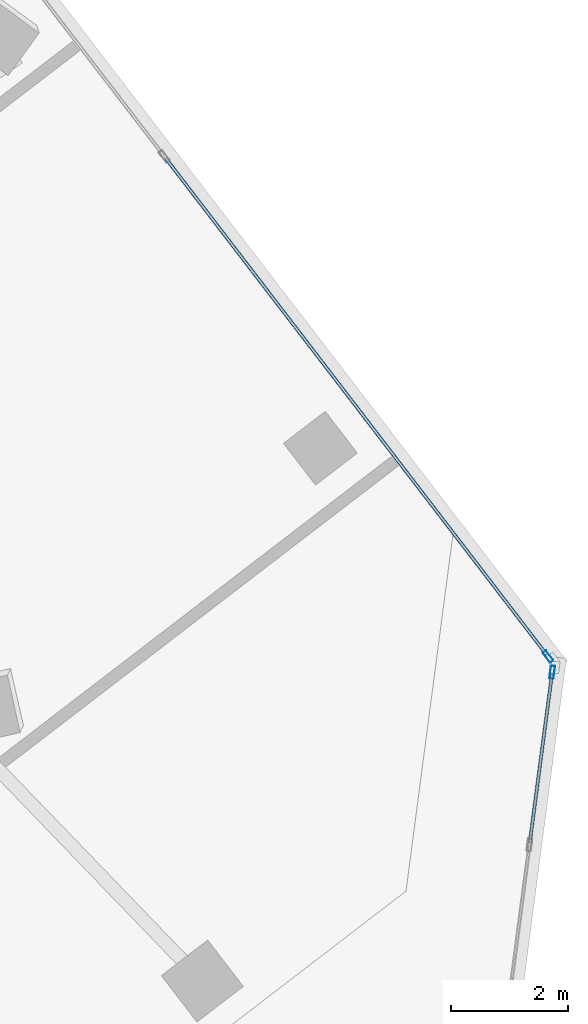
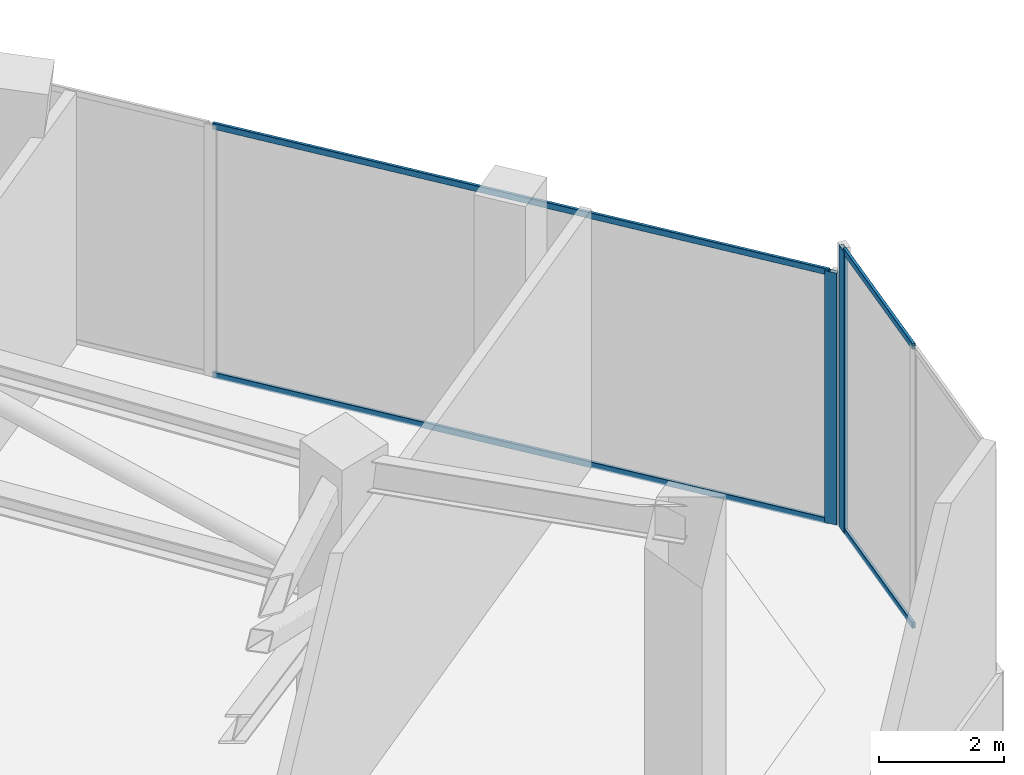
# One storey, part 8 of 19: 6 members, 2 elements without a shape of their own.
"""IFC4 building model written with IfcOpenShell, lengths in metres."""

from ifc_helpers import new_model, si_unit, direction, frame, origin, origin_2d, place, context, subcontext, project, spatial, hollow_rectangle, extrude, source, transform, mapped, material, material_profile, profile_set, type_object, element, aggregate, save


model = new_model("IFC4")

# Units and contexts
model_context = context("Model", 3, precision=1e-05, world=origin(), true_north=direction((0.0, 1.0)))
body_context = subcontext(model_context, "Body", "Model", "MODEL_VIEW")
ifc_project = project(units=[si_unit("LENGTHUNIT", "METRE"), si_unit("AREAUNIT", "SQUARE_METRE"), si_unit("VOLUMEUNIT", "CUBIC_METRE"), si_unit("PLANEANGLEUNIT", "RADIAN"), si_unit("MASSUNIT", "GRAM", prefix="KILO")], contexts=[model_context])

# Site, building, storey
site_placement = place(None, origin())
site = spatial("IfcSite", under=ifc_project, at=site_placement, CompositionType="ELEMENT")
building_placement = place(site_placement, origin())
building = spatial("IfcBuilding", under=site, at=building_placement, Name="Torre Montelarca", CompositionType="ELEMENT")
storey_placement = place(building_placement, frame((0.0, 0.0, 287.800048828125)))
storey = spatial("IfcBuildingStorey", under=building, at=storey_placement, Name="L65", CompositionType="ELEMENT", Elevation=287.800048828125)

# Curtain wall, members
ifc_material_1 = material(Name="Insulated low-E laminated glass", Category="glass")
curtain_wall_type = type_object("IfcCurtainWallType", Name="CW-SYS-Z3", PredefinedType="USERDEFINED", material=ifc_material_1)
curtain_wall_1_placement = place(storey_placement, origin())
curtain_wall_1 = element("IfcCurtainWall", 1, at=curtain_wall_1_placement, inside=storey, type_object=curtain_wall_type, Name="L65 Curtain Wall Run CW-T3-L65-E07-B1", ObjectType="UNITISED GLAZING", PredefinedType="USERDEFINED")
ifc_material_2 = material(Name="Anodised aluminium AA 6063-T6", Category="aluminium")
ifc_material_profile_1 = material_profile(ifc_material_2, hollow_rectangle(XDim=0.054931640625, YDim=0.1201171875, WallThickness=0.00341796875, InnerFilletRadius=0.00341796875, OuterFilletRadius=0.007080078125, at=origin_2d()), Name="ALU55X120X3.5", Category="aluminium")
ifc_profile_set_1 = profile_set([ifc_material_profile_1], Name="Anodised aluminium AA 6063-T6")
member_type_1 = type_object("IfcMemberType", Name="CWT-ALU120", PredefinedType="USERDEFINED", material=ifc_profile_set_1)
shared_shape_1 = source(origin(), body_context, "Body", "SweptSolid", [
    extrude(hollow_rectangle(XDim=0.054931640625, YDim=0.1201171875, WallThickness=0.00341796875, InnerFilletRadius=0.00341796875, OuterFilletRadius=0.007080078125, at=origin_2d()), origin(), (0.0, 0.0, 1.0), 2.90380859375),
])
member_1_placement = place(storey_placement, frame((45.92724609375, 22.9736328125, 0.02734375), z_axis=(0.130571956517, 0.991438835315, 0.0), x_axis=(-0.991438835315, 0.130571956517, 0.0)))
member_1 = element("IfcMember", 2, at=member_1_placement, type_object=member_type_1, Name="CW transom 2.1", ObjectType="TRANSOM", PredefinedType="USERDEFINED", context=body_context, shape_type="MappedRepresentation", body=[
    mapped(shared_shape_1, transform((0.0, 0.0, 0.0), scale=1.0)),
])
member_2_placement = place(storey_placement, frame((45.92724609375, 22.9736328125, 5.492431640625), z_axis=(0.130571956517, 0.991438835315, 0.0), x_axis=(-0.991438835315, 0.130571956517, 0.0)))
member_2 = element("IfcMember", 3, at=member_2_placement, type_object=member_type_1, Name="CW transom 2.2", ObjectType="TRANSOM", PredefinedType="USERDEFINED", context=body_context, shape_type="MappedRepresentation", body=[
    mapped(shared_shape_1, transform((0.0, 0.0, 0.0), scale=1.0)),
])
ifc_material_profile_2 = material_profile(ifc_material_2, hollow_rectangle(XDim=0.074951171875, YDim=0.219970703125, WallThickness=0.0048828125, InnerFilletRadius=0.0048828125, OuterFilletRadius=0.010009765625, at=origin_2d()), Name="ALU75X220X5", Category="aluminium")
ifc_profile_set_2 = profile_set([ifc_material_profile_2], Name="Anodised aluminium AA 6063-T6")
member_type_2 = type_object("IfcMemberType", Name="CWM-ALU220", PredefinedType="MULLION", material=ifc_profile_set_2)
shared_shape_2 = source(origin(), body_context, "Body", "SweptSolid", [
    extrude(hollow_rectangle(XDim=0.074951171875, YDim=0.219970703125, WallThickness=0.0048828125, InnerFilletRadius=0.0048828125, OuterFilletRadius=0.010009765625, at=origin_2d()), origin(), (0.0, 0.0, 1.0), 5.52001953125),
])
member_3_placement = place(storey_placement, frame((46.311279296875, 25.8896484375, 0.0), z_axis=(0.0, 0.0, 1.0), x_axis=(-0.991446450787, 0.130514118862, 0.0)))
member_3 = element("IfcMember", 4, at=member_3_placement, type_object=member_type_2, Name="CW mullion 3", PredefinedType="MULLION", context=body_context, shape_type="MappedRepresentation", body=[
    mapped(shared_shape_2, transform((0.0, 0.0, 0.0), scale=1.0)),
])
aggregate(curtain_wall_1, [member_3, member_1, member_2])

curtain_wall_2_placement = place(storey_placement, origin())
curtain_wall_2 = element("IfcCurtainWall", 5, at=curtain_wall_2_placement, inside=storey, type_object=curtain_wall_type, Name="L65 Curtain Wall Run CW-T3-L65-E08-B1", ObjectType="UNITISED GLAZING", PredefinedType="USERDEFINED")
shared_shape_3 = source(origin(), body_context, "Body", "SweptSolid", [
    extrude(hollow_rectangle(XDim=0.074951171875, YDim=0.219970703125, WallThickness=0.0048828125, InnerFilletRadius=0.0048828125, OuterFilletRadius=0.010009765625, at=origin_2d()), origin(), (0.0, 0.0, 1.0), 4.93505859375),
])
member_4_placement = place(storey_placement, frame((46.23974609375, 26.15625, 0.0), z_axis=(0.0, 0.0, 1.0), x_axis=(-0.793353857957, -0.608760754373, 0.0)))
member_4 = element("IfcMember", 6, at=member_4_placement, type_object=member_type_2, Name="CW mullion 1", PredefinedType="MULLION", context=body_context, shape_type="MappedRepresentation", body=[
    mapped(shared_shape_3, transform((0.0, 0.0, 0.0), scale=1.0)),
])
shared_shape_4 = source(origin(), body_context, "Body", "SweptSolid", [
    extrude(hollow_rectangle(XDim=0.054931640625, YDim=0.1201171875, WallThickness=0.00341796875, InnerFilletRadius=0.00341796875, OuterFilletRadius=0.007080078125, at=origin_2d()), origin(), (0.0, 0.0, 1.0), 10.70751953125),
])
member_5_placement = place(storey_placement, frame((46.217041015625, 26.18603515625, 0.02734375), z_axis=(-0.60875938331, 0.793354910007, 0.0), x_axis=(-0.793354910007, -0.60875938331, 0.0)))
member_5 = element("IfcMember", 7, at=member_5_placement, type_object=member_type_1, Name="CW transom 1.1", ObjectType="TRANSOM", PredefinedType="USERDEFINED", context=body_context, shape_type="MappedRepresentation", body=[
    mapped(shared_shape_4, transform((0.0, 0.0, 0.0), scale=1.0)),
])
member_6_placement = place(storey_placement, frame((46.217041015625, 26.18603515625, 4.907470703125), z_axis=(-0.60875938331, 0.793354910007, 0.0), x_axis=(-0.793354910007, -0.60875938331, 0.0)))
member_6 = element("IfcMember", 8, at=member_6_placement, type_object=member_type_1, Name="CW transom 1.2", ObjectType="TRANSOM", PredefinedType="USERDEFINED", context=body_context, shape_type="MappedRepresentation", body=[
    mapped(shared_shape_4, transform((0.0, 0.0, 0.0), scale=1.0)),
])
aggregate(curtain_wall_2, [member_4, member_5, member_6])

save(model, "model.ifc")
